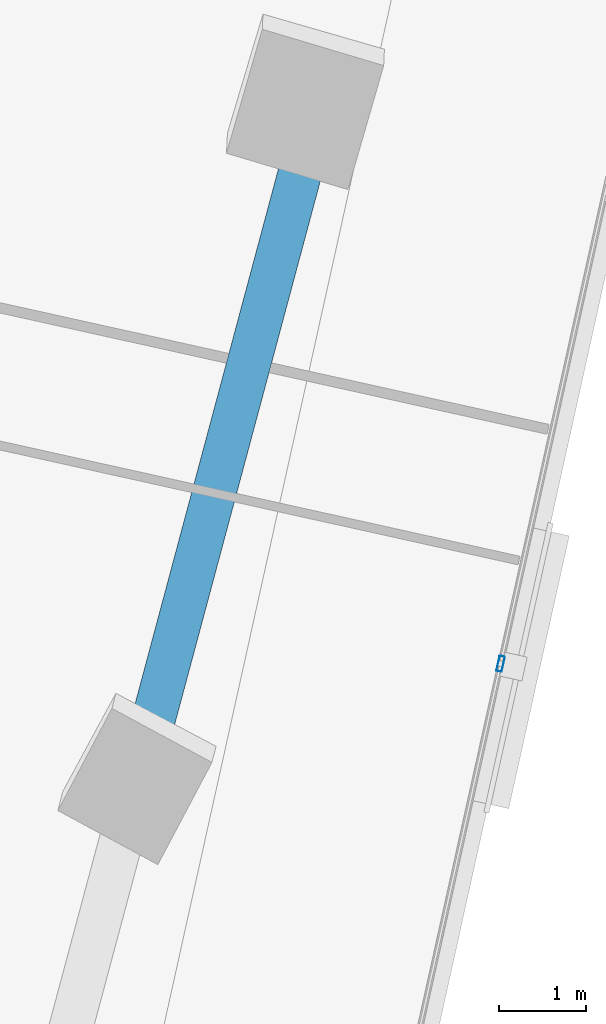
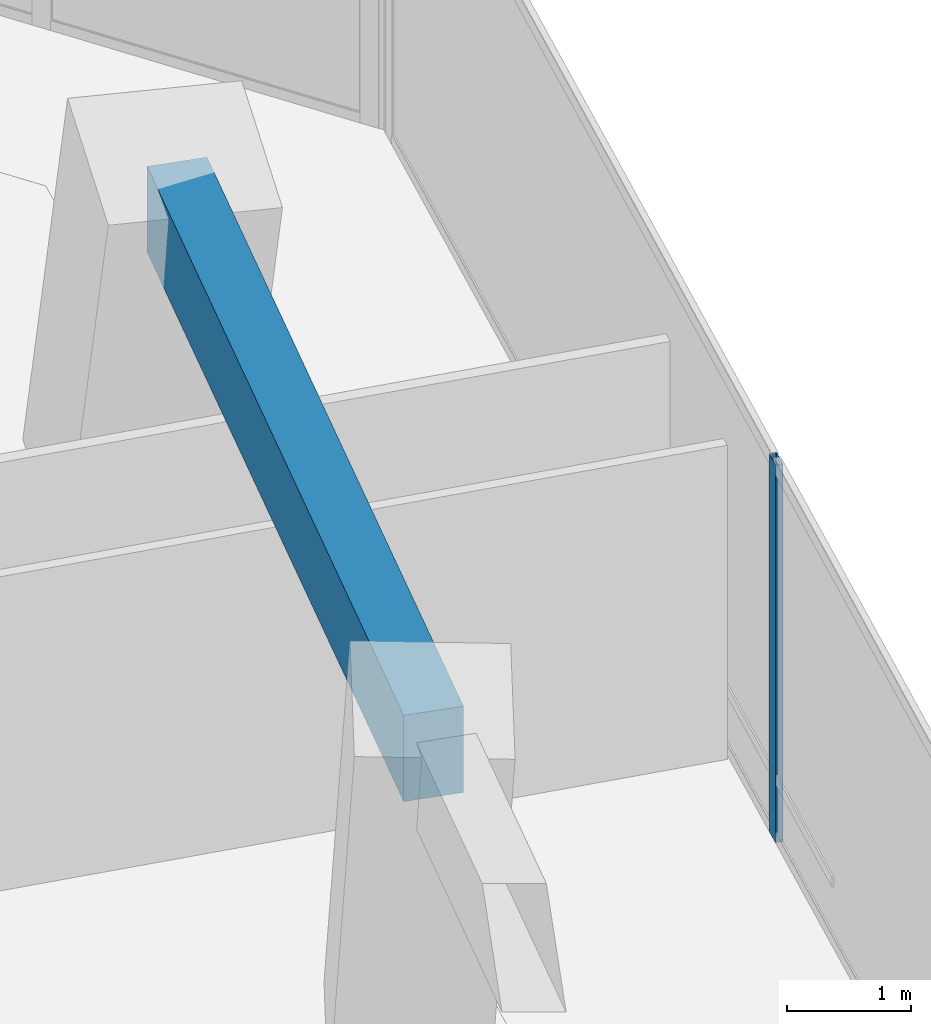
# One storey, part 11 of 26: 1 beam, 1 member, 1 element without a shape of its own.
"""IFC4 building model written with IfcOpenShell, lengths in metres."""

from ifc_helpers import new_model, si_unit, direction, frame, origin, origin_2d, place, context, subcontext, project, spatial, rectangle, hollow_rectangle, extrude, source, transform, mapped, material, material_profile, profile_set, type_object, element, aggregate, save


model = new_model("IFC4")

# Units and contexts
model_context = context("Model", 3, precision=1e-05, world=origin(), true_north=direction((0.0, 1.0)))
body_context = subcontext(model_context, "Body", "Model", "MODEL_VIEW")
ifc_project = project(units=[si_unit("LENGTHUNIT", "METRE"), si_unit("AREAUNIT", "SQUARE_METRE"), si_unit("VOLUMEUNIT", "CUBIC_METRE"), si_unit("PLANEANGLEUNIT", "RADIAN"), si_unit("MASSUNIT", "GRAM", prefix="KILO")], contexts=[model_context])

# Site, building, storey
site_placement = place(None, origin())
site = spatial("IfcSite", under=ifc_project, at=site_placement, CompositionType="ELEMENT")
building_placement = place(site_placement, origin())
building = spatial("IfcBuilding", under=site, at=building_placement, Name="Torre Montelarca", CompositionType="ELEMENT")
storey_placement = place(building_placement, frame((0.0, 0.0, 95.800048828125)))
storey = spatial("IfcBuildingStorey", under=building, at=storey_placement, Name="L21", CompositionType="ELEMENT", Elevation=95.800048828125)

# Beam
ifc_material_1 = material(Name="Concrete C55/67", Category="concrete")
ifc_material_profile_1 = material_profile(ifc_material_1, rectangle(XDim=0.5, YDim=0.85009765625, at=origin_2d()), Name="RCB500X850", Category="concrete")
ifc_profile_set_1 = profile_set([ifc_material_profile_1], Name="Concrete C55/67")
beam_type = type_object("IfcBeamType", Name="BM-SP-RC850-EXT", PredefinedType="SPANDREL", material=ifc_profile_set_1)
shared_shape_1 = source(origin(), body_context, "Body", "SweptSolid", [
    extrude(rectangle(XDim=0.5, YDim=0.85009765625, at=origin_2d()), origin(), (0.0, 0.0, 1.0), 8.000244140625),
])
beam_placement = place(storey_placement, frame((58.68798828125, 22.035400390625, 3.534912109375), z_axis=(0.258843877716, 0.965919172068, 0.0), x_axis=(-0.965919172068, 0.258843877716, 0.0)))
element("IfcBeam", 1, at=beam_placement, inside=storey, type_object=beam_type, Name="L21 Grid Girder Y 32.0-40.0 at X=60.0", PredefinedType="SPANDREL", context=body_context, shape_type="MappedRepresentation", body=[
    mapped(shared_shape_1, transform((0.0, 0.0, 0.0), scale=1.0)),
])

# Curtain wall, member
ifc_material_2 = material(Name="Insulated low-E laminated glass", Category="glass")
curtain_wall_type = type_object("IfcCurtainWallType", Name="CW-SYS-Z1", PredefinedType="USERDEFINED", material=ifc_material_2)
curtain_wall_placement = place(storey_placement, origin())
curtain_wall = element("IfcCurtainWall", 2, at=curtain_wall_placement, inside=storey, type_object=curtain_wall_type, Name="L21 Curtain Wall Run CW-T3-L21-E06-B1", ObjectType="UNITISED GLAZING", PredefinedType="USERDEFINED")
ifc_material_3 = material(Name="Anodised aluminium AA 6063-T6", Category="aluminium")
ifc_material_profile_2 = material_profile(ifc_material_3, hollow_rectangle(XDim=0.06494140625, YDim=0.179931640625, WallThickness=0.00390625, InnerFilletRadius=0.00390625, OuterFilletRadius=0.008056640625, at=origin_2d()), Name="ALU65X180X4", Category="aluminium")
ifc_profile_set_2 = profile_set([ifc_material_profile_2], Name="Anodised aluminium AA 6063-T6")
member_type = type_object("IfcMemberType", Name="CWM-ALU180", PredefinedType="MULLION", material=ifc_profile_set_2)
shared_shape_2 = source(origin(), body_context, "Body", "SweptSolid", [
    extrude(hollow_rectangle(XDim=0.06494140625, YDim=0.179931640625, WallThickness=0.00390625, InnerFilletRadius=0.00390625, OuterFilletRadius=0.008056640625, at=origin_2d()), origin(), (0.0, 0.0, 1.0), 3.719970703125),
])
member_placement = place(storey_placement, frame((63.02783203125, 24.022705078125, 0.0), z_axis=(0.0, 0.0, 1.0), x_axis=(-0.976295656956, 0.216441193422, 0.0)))
member = element("IfcMember", 3, at=member_placement, type_object=member_type, Name="CW mullion 2", PredefinedType="MULLION", context=body_context, shape_type="MappedRepresentation", body=[
    mapped(shared_shape_2, transform((0.0, 0.0, 0.0), scale=1.0)),
])
aggregate(curtain_wall, [member])

save(model, "model.ifc")
